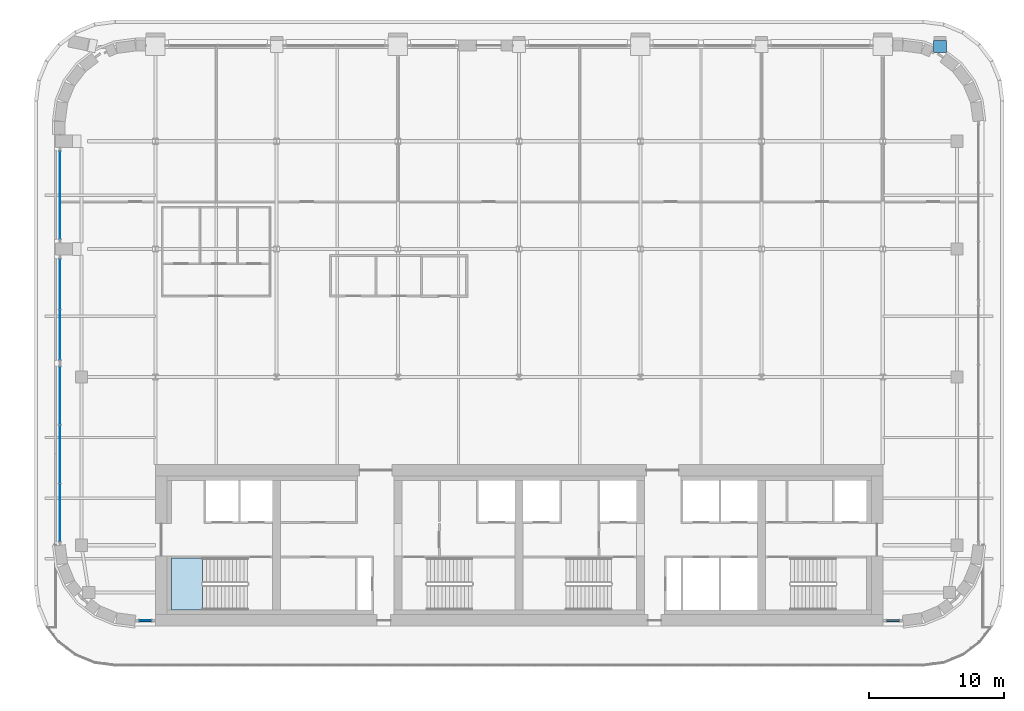
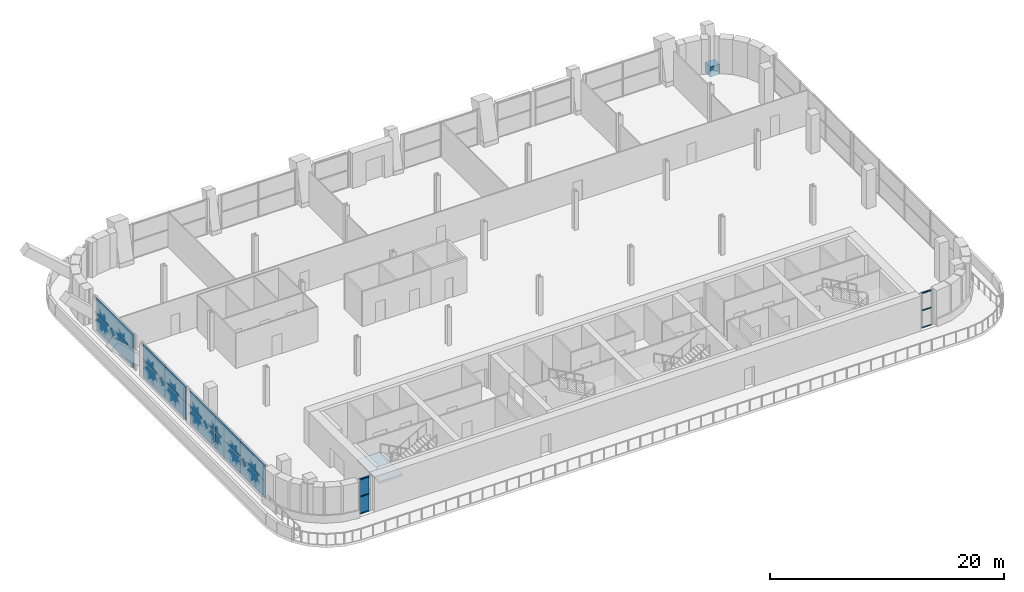
# One storey, part 10 of 23: 14 plates, 6 members, 1 beam, 1 slab, 6 elements without a shape of their own.
"""IFC4 building model written with IfcOpenShell, lengths in metres."""

from ifc_helpers import new_model, si_unit, direction, frame, origin, origin_2d, place, context, subcontext, project, spatial, polyline, rectangle, outline, extrude, material, layer, layer_set, material_profile, profile_set, type_object, element, aggregate, save


model = new_model("IFC4")

# Units and contexts
model_context = context("Model", 3, precision=1e-05, world=origin(), true_north=direction((0.0, 1.0)))
body_context = subcontext(model_context, "Body", "Model", "MODEL_VIEW")
ifc_project = project(units=[si_unit("LENGTHUNIT", "METRE"), si_unit("AREAUNIT", "SQUARE_METRE"), si_unit("VOLUMEUNIT", "CUBIC_METRE"), si_unit("PLANEANGLEUNIT", "RADIAN"), si_unit("MASSUNIT", "GRAM", prefix="KILO")], contexts=[model_context])

# Site, building, storey
site_placement = place(None, origin())
site = spatial("IfcSite", under=ifc_project, at=site_placement, CompositionType="ELEMENT")
building_placement = place(site_placement, origin())
building = spatial("IfcBuilding", under=site, at=building_placement, Name="Zellij Exchange Tower", CompositionType="ELEMENT")
storey_placement = place(building_placement, frame((0.0, 0.0, 212.5)))
storey = spatial("IfcBuildingStorey", under=building, at=storey_placement, Name="L49", CompositionType="ELEMENT", Elevation=212.5)

# Curtain wall, members
ifc_material_1 = material(Name="Aluminium frame, clear insulating glass", Category="aluminium")
curtain_wall_type = type_object("IfcCurtainWallType", Name="ENV-CW6 Sky-lobby glazing", PredefinedType="NOTDEFINED", material=ifc_material_1)
curtain_wall_1_placement = place(storey_placement, origin())
curtain_wall_1 = element("IfcCurtainWall", 1, at=curtain_wall_1_placement, inside=storey, type_object=curtain_wall_type, Name="cw.L49.00a", PredefinedType="NOTDEFINED")
ifc_material_2 = material(Name="Aluminium", Category="aluminium")
ifc_material_profile_1 = material_profile(ifc_material_2, rectangle(XDim=0.139892578125, YDim=0.06005859375, at=origin_2d()), Name="AL 140x60")
ifc_profile_set_1 = profile_set([ifc_material_profile_1], Name="Aluminium")
member_type = type_object("IfcMemberType", Name="ENV-CW6T Transom 140x60", PredefinedType="USERDEFINED", material=ifc_profile_set_1)
member_1_placement = place(storey_placement, frame((-28.2138671875, -13.60009765625, 0.030029296875), z_axis=(1.0, 0.0, 0.0), x_axis=(0.0, 1.0, 0.0)))
member_1 = element("IfcMember", 2, at=member_1_placement, type_object=member_type, Name="CW6 transom 1.1", ObjectType="TRANSOM", PredefinedType="USERDEFINED", context=body_context, shape_type="SweptSolid", body=[
    extrude(rectangle(XDim=0.139892578125, YDim=0.06005859375, at=origin_2d()), origin(), (0.0, 0.0, 1.0), 0.90380859375),
])
member_2_placement = place(storey_placement, frame((-28.2138671875, -13.60009765625, 1.824951171875), z_axis=(1.0, 0.0, 0.0), x_axis=(0.0, 1.0, 0.0)))
member_2 = element("IfcMember", 3, at=member_2_placement, type_object=member_type, Name="CW6 transom 1.2", ObjectType="TRANSOM", PredefinedType="USERDEFINED", context=body_context, shape_type="SweptSolid", body=[
    extrude(rectangle(XDim=0.139892578125, YDim=0.06005859375, at=origin_2d()), origin(), (0.0, 0.0, 1.0), 0.90380859375),
])
member_3_placement = place(storey_placement, frame((-28.2138671875, -13.60009765625, 3.6201171875), z_axis=(1.0, 0.0, 0.0), x_axis=(0.0, 1.0, 0.0)))
member_3 = element("IfcMember", 4, at=member_3_placement, type_object=member_type, Name="CW6 transom 1.3", ObjectType="TRANSOM", PredefinedType="USERDEFINED", context=body_context, shape_type="SweptSolid", body=[
    extrude(rectangle(XDim=0.139892578125, YDim=0.06005859375, at=origin_2d()), origin(), (0.0, 0.0, 1.0), 0.90380859375),
])

curtain_wall_2_placement = place(storey_placement, origin())
curtain_wall_2 = element("IfcCurtainWall", 5, at=curtain_wall_2_placement, inside=storey, type_object=curtain_wall_type, Name="cw.L49.00b", PredefinedType="NOTDEFINED")
member_4_placement = place(storey_placement, frame((27.31005859375, -13.60009765625, 0.030029296875), z_axis=(1.0, 0.0, 0.0), x_axis=(0.0, 1.0, 0.0)))
member_4 = element("IfcMember", 6, at=member_4_placement, type_object=member_type, Name="CW6 transom 1.1", ObjectType="TRANSOM", PredefinedType="USERDEFINED", context=body_context, shape_type="SweptSolid", body=[
    extrude(rectangle(XDim=0.139892578125, YDim=0.06005859375, at=origin_2d()), origin(), (0.0, 0.0, 1.0), 0.90380859375),
])
member_5_placement = place(storey_placement, frame((27.31005859375, -13.60009765625, 1.824951171875), z_axis=(1.0, 0.0, 0.0), x_axis=(0.0, 1.0, 0.0)))
member_5 = element("IfcMember", 7, at=member_5_placement, type_object=member_type, Name="CW6 transom 1.2", ObjectType="TRANSOM", PredefinedType="USERDEFINED", context=body_context, shape_type="SweptSolid", body=[
    extrude(rectangle(XDim=0.139892578125, YDim=0.06005859375, at=origin_2d()), origin(), (0.0, 0.0, 1.0), 0.90380859375),
])
member_6_placement = place(storey_placement, frame((27.31005859375, -13.60009765625, 3.6201171875), z_axis=(1.0, 0.0, 0.0), x_axis=(0.0, 1.0, 0.0)))
member_6 = element("IfcMember", 8, at=member_6_placement, type_object=member_type, Name="CW6 transom 1.3", ObjectType="TRANSOM", PredefinedType="USERDEFINED", context=body_context, shape_type="SweptSolid", body=[
    extrude(rectangle(XDim=0.139892578125, YDim=0.06005859375, at=origin_2d()), origin(), (0.0, 0.0, 1.0), 0.90380859375),
])
aggregate(curtain_wall_2, [member_4, member_5, member_6])

# Beam
ifc_material_3 = material(Name="Concrete C60/75", Category="concrete")
ifc_material_profile_2 = material_profile(ifc_material_3, rectangle(XDim=0.949951171875, YDim=1.050048828125, at=origin_2d()), Name="STR-KNUCKLE BLOCK RC950x1050 C60/75")
ifc_profile_set_2 = profile_set([ifc_material_profile_2], Name="Concrete C60/75")
beam_type = type_object("IfcBeamType", Name="STR-KNUCKLE BLOCK RC950x1050 C60/75", PredefinedType="BEAM", material=ifc_profile_set_2)
beam_placement = place(storey_placement, frame((31.25, 28.5908203125, -0.125), z_axis=(0.0, 1.0, 0.0), x_axis=(-1.0, 0.0, 0.0)))
element("IfcBeam", 9, at=beam_placement, inside=storey, type_object=beam_type, Name="KB2", PredefinedType="BEAM", context=body_context, shape_type="SweptSolid", body=[
    extrude(rectangle(XDim=0.949951171875, YDim=1.050048828125, at=origin_2d()), origin(), (0.0, 0.0, 1.0), 0.873046875),
])

# Stair, slab
ifc_material_4 = material(Name="Concrete C40/50", Category="concrete")
stair_type = type_object("IfcStairType", Name="CORE-ST exit stair 1850 wide", PredefinedType="HALF_TURN_STAIR", material=ifc_material_4)
stair_placement = place(storey_placement, origin())
stair = element("IfcStair", 10, at=stair_placement, inside=storey, type_object=stair_type, Name="L49 exit stair ST1", PredefinedType="HALF_TURN_STAIR")
ifc_layer_1 = layer(ifc_material_4, 0.199951171875)
ifc_layer_set_1 = layer_set([ifc_layer_1], Name="Concrete C40/50")
slab_type = type_object("IfcSlabType", Name="CORE-SL stair landing 200", PredefinedType="LANDING", material=ifc_layer_set_1)
slab_placement = place(storey_placement, frame((0.0, 0.0, 1.800048828125)))
slab = element("IfcSlab", 11, at=slab_placement, type_object=slab_type, Name="ST1 landing 1", PredefinedType="LANDING", context=body_context, shape_type="SweptSolid", body=[
    extrude(outline(polyline([(-23.510009765625, -8.949951171875), (-25.800048828125, -8.949951171875), (-25.800048828125, -12.800048828125), (-23.510009765625, -12.800048828125), (-23.510009765625, -8.949951171875)])), origin(), (0.0, 0.0, 1.0), 0.199951171875),
])
aggregate(stair, [slab])

# Plate
ifc_material_5 = material(Name="Insulating glass unit, clear", Category="glass")
ifc_layer_2 = layer(ifc_material_5, 0.035888671875)
ifc_layer_set_2 = layer_set([ifc_layer_2], Name="Insulating glass unit, clear")
plate_type = type_object("IfcPlateType", Name="ENV-CW6P Glazed panel 36", PredefinedType="CURTAIN_PANEL", material=ifc_layer_set_2)
plate_1_placement = place(storey_placement, frame((-27.761962890625, -13.60009765625, 0.06005859375), z_axis=(0.0, 0.0, 1.0), x_axis=(1.0, 0.0, 0.0)))
plate_1 = element("IfcPlate", 12, at=plate_1_placement, type_object=plate_type, Name="CW6 panel 1.1", PredefinedType="CURTAIN_PANEL", context=body_context, shape_type="SweptSolid", body=[
    extrude(rectangle(XDim=0.90380859375, YDim=0.035888671875, at=origin_2d()), origin(), (0.0, 0.0, 1.0), 1.735107421875),
])

plate_2_placement = place(storey_placement, frame((-27.761962890625, -13.60009765625, 1.85498046875), z_axis=(0.0, 0.0, 1.0), x_axis=(1.0, 0.0, 0.0)))
plate_2 = element("IfcPlate", 13, at=plate_2_placement, type_object=plate_type, Name="CW6 panel 1.2", PredefinedType="CURTAIN_PANEL", context=body_context, shape_type="SweptSolid", body=[
    extrude(rectangle(XDim=0.90380859375, YDim=0.035888671875, at=origin_2d()), origin(), (0.0, 0.0, 1.0), 1.735107421875),
])

aggregate(curtain_wall_1, [member_1, member_2, member_3, plate_1, plate_2])

# Curtain wall, plates
curtain_wall_3_placement = place(storey_placement, origin())
curtain_wall_3 = element("IfcCurtainWall", 14, at=curtain_wall_3_placement, inside=storey, type_object=curtain_wall_type, Name="cw.L49.21b", PredefinedType="NOTDEFINED")
plate_3_placement = place(storey_placement, frame((-34.10009765625, 18.0, 0.06005859375), z_axis=(0.0, 0.0, 1.0), x_axis=(0.0, -1.0, 0.0)))
plate_3 = element("IfcPlate", 15, at=plate_3_placement, type_object=plate_type, Name="CW6 panel 1.1", PredefinedType="CURTAIN_PANEL", context=body_context, shape_type="SweptSolid", body=[
    extrude(rectangle(XDim=6.47998046875, YDim=0.035888671875, at=origin_2d()), origin(), (0.0, 0.0, 1.0), 1.735107421875),
])
plate_4_placement = place(storey_placement, frame((-34.10009765625, 18.0, 1.85498046875), z_axis=(0.0, 0.0, 1.0), x_axis=(0.0, -1.0, 0.0)))
plate_4 = element("IfcPlate", 16, at=plate_4_placement, type_object=plate_type, Name="CW6 panel 1.2", PredefinedType="CURTAIN_PANEL", context=body_context, shape_type="SweptSolid", body=[
    extrude(rectangle(XDim=6.47998046875, YDim=0.035888671875, at=origin_2d()), origin(), (0.0, 0.0, 1.0), 1.735107421875),
])
aggregate(curtain_wall_3, [plate_3, plate_4])

curtain_wall_4_placement = place(storey_placement, origin())
curtain_wall_4 = element("IfcCurtainWall", 17, at=curtain_wall_4_placement, inside=storey, type_object=curtain_wall_type, Name="cw.L49.21c", PredefinedType="NOTDEFINED")
plate_5_placement = place(storey_placement, frame((-34.10009765625, 11.385986328125, 0.06005859375), z_axis=(0.0, 0.0, 1.0), x_axis=(0.0, -1.0, 0.0)))
plate_5 = element("IfcPlate", 18, at=plate_5_placement, type_object=plate_type, Name="CW6 panel 1.1", PredefinedType="CURTAIN_PANEL", context=body_context, shape_type="SweptSolid", body=[
    extrude(rectangle(XDim=3.7080078125, YDim=0.035888671875, at=origin_2d()), origin(), (0.0, 0.0, 1.0), 1.735107421875),
])
plate_6_placement = place(storey_placement, frame((-34.10009765625, 11.385986328125, 1.85498046875), z_axis=(0.0, 0.0, 1.0), x_axis=(0.0, -1.0, 0.0)))
plate_6 = element("IfcPlate", 19, at=plate_6_placement, type_object=plate_type, Name="CW6 panel 1.2", PredefinedType="CURTAIN_PANEL", context=body_context, shape_type="SweptSolid", body=[
    extrude(rectangle(XDim=3.7080078125, YDim=0.035888671875, at=origin_2d()), origin(), (0.0, 0.0, 1.0), 1.735107421875),
])
plate_7_placement = place(storey_placement, frame((-34.10009765625, 7.617919921875, 0.06005859375), z_axis=(0.0, 0.0, 1.0), x_axis=(0.0, -1.0, 0.0)))
plate_7 = element("IfcPlate", 20, at=plate_7_placement, type_object=plate_type, Name="CW6 panel 2.1", PredefinedType="CURTAIN_PANEL", context=body_context, shape_type="SweptSolid", body=[
    extrude(rectangle(XDim=3.7080078125, YDim=0.035888671875, at=origin_2d()), origin(), (0.0, 0.0, 1.0), 1.735107421875),
])
plate_8_placement = place(storey_placement, frame((-34.10009765625, 7.617919921875, 1.85498046875), z_axis=(0.0, 0.0, 1.0), x_axis=(0.0, -1.0, 0.0)))
plate_8 = element("IfcPlate", 21, at=plate_8_placement, type_object=plate_type, Name="CW6 panel 2.2", PredefinedType="CURTAIN_PANEL", context=body_context, shape_type="SweptSolid", body=[
    extrude(rectangle(XDim=3.7080078125, YDim=0.035888671875, at=origin_2d()), origin(), (0.0, 0.0, 1.0), 1.735107421875),
])
aggregate(curtain_wall_4, [plate_5, plate_6, plate_7, plate_8])

curtain_wall_5_placement = place(storey_placement, origin())
curtain_wall_5 = element("IfcCurtainWall", 22, at=curtain_wall_5_placement, inside=storey, type_object=curtain_wall_type, Name="cw.L49.21d", PredefinedType="NOTDEFINED")
plate_9_placement = place(storey_placement, frame((-34.10009765625, 3.109130859375, 0.06005859375), z_axis=(0.0, 0.0, 1.0), x_axis=(0.0, -1.0, 0.0)))
plate_9 = element("IfcPlate", 23, at=plate_9_placement, type_object=plate_type, Name="CW6 panel 1.1", PredefinedType="CURTAIN_PANEL", context=body_context, shape_type="SweptSolid", body=[
    extrude(rectangle(XDim=4.269287109375, YDim=0.035888671875, at=origin_2d()), origin(), (0.0, 0.0, 1.0), 1.735107421875),
])
plate_10_placement = place(storey_placement, frame((-34.10009765625, 3.109130859375, 1.85498046875), z_axis=(0.0, 0.0, 1.0), x_axis=(0.0, -1.0, 0.0)))
plate_10 = element("IfcPlate", 24, at=plate_10_placement, type_object=plate_type, Name="CW6 panel 1.2", PredefinedType="CURTAIN_PANEL", context=body_context, shape_type="SweptSolid", body=[
    extrude(rectangle(XDim=4.269287109375, YDim=0.035888671875, at=origin_2d()), origin(), (0.0, 0.0, 1.0), 1.735107421875),
])
plate_11_placement = place(storey_placement, frame((-34.10009765625, -1.235107421875, 0.06005859375), z_axis=(0.0, 0.0, 1.0), x_axis=(0.0, -1.0, 0.0)))
plate_11 = element("IfcPlate", 25, at=plate_11_placement, type_object=plate_type, Name="CW6 panel 2.1", PredefinedType="CURTAIN_PANEL", context=body_context, shape_type="SweptSolid", body=[
    extrude(rectangle(XDim=4.29931640625, YDim=0.035888671875, at=origin_2d()), origin(), (0.0, 0.0, 1.0), 1.735107421875),
])
plate_12_placement = place(storey_placement, frame((-34.10009765625, -1.235107421875, 1.85498046875), z_axis=(0.0, 0.0, 1.0), x_axis=(0.0, -1.0, 0.0)))
plate_12 = element("IfcPlate", 26, at=plate_12_placement, type_object=plate_type, Name="CW6 panel 2.2", PredefinedType="CURTAIN_PANEL", context=body_context, shape_type="SweptSolid", body=[
    extrude(rectangle(XDim=4.29931640625, YDim=0.035888671875, at=origin_2d()), origin(), (0.0, 0.0, 1.0), 1.735107421875),
])
plate_13_placement = place(storey_placement, frame((-34.10009765625, -5.5791015625, 0.06005859375), z_axis=(0.0, 0.0, 1.0), x_axis=(0.0, -1.0, 0.0)))
plate_13 = element("IfcPlate", 27, at=plate_13_placement, type_object=plate_type, Name="CW6 panel 3.1", PredefinedType="CURTAIN_PANEL", context=body_context, shape_type="SweptSolid", body=[
    extrude(rectangle(XDim=4.269287109375, YDim=0.035888671875, at=origin_2d()), origin(), (0.0, 0.0, 1.0), 1.735107421875),
])
plate_14_placement = place(storey_placement, frame((-34.10009765625, -5.5791015625, 1.85498046875), z_axis=(0.0, 0.0, 1.0), x_axis=(0.0, -1.0, 0.0)))
plate_14 = element("IfcPlate", 28, at=plate_14_placement, type_object=plate_type, Name="CW6 panel 3.2", PredefinedType="CURTAIN_PANEL", context=body_context, shape_type="SweptSolid", body=[
    extrude(rectangle(XDim=4.269287109375, YDim=0.035888671875, at=origin_2d()), origin(), (0.0, 0.0, 1.0), 1.735107421875),
])
aggregate(curtain_wall_5, [plate_9, plate_10, plate_11, plate_12, plate_13, plate_14])

save(model, "model.ifc")
